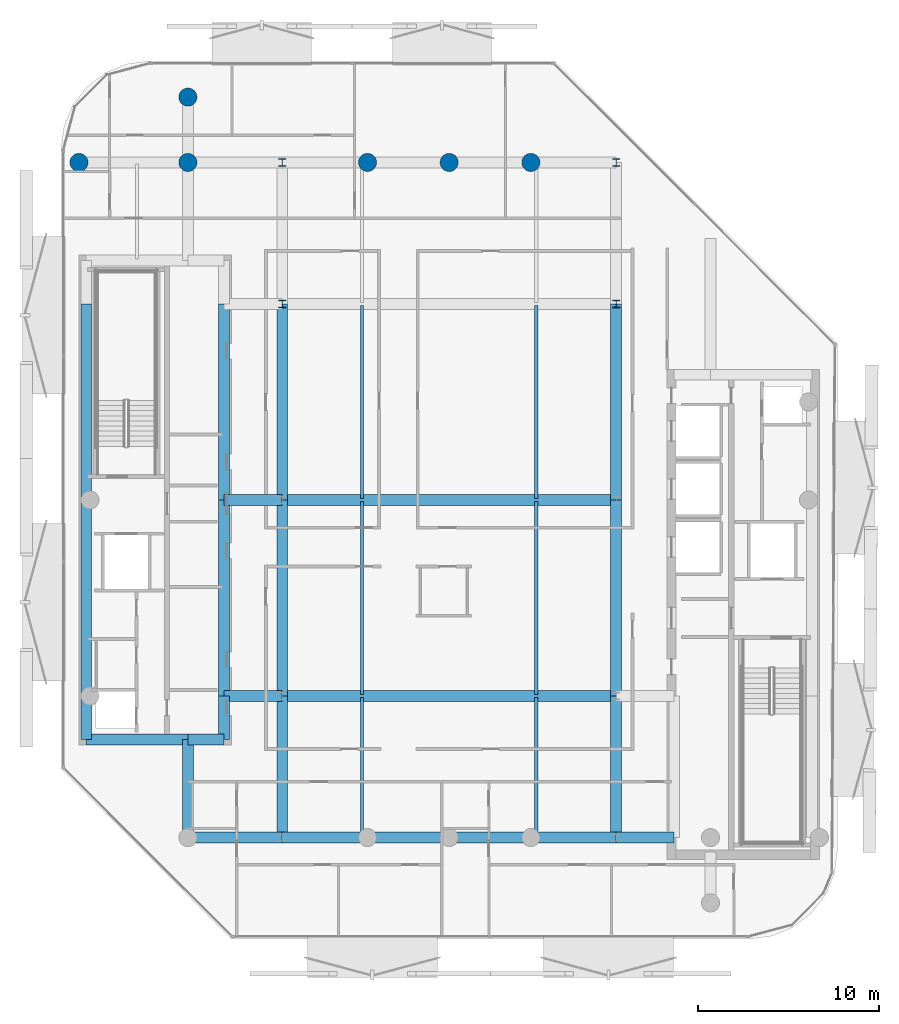
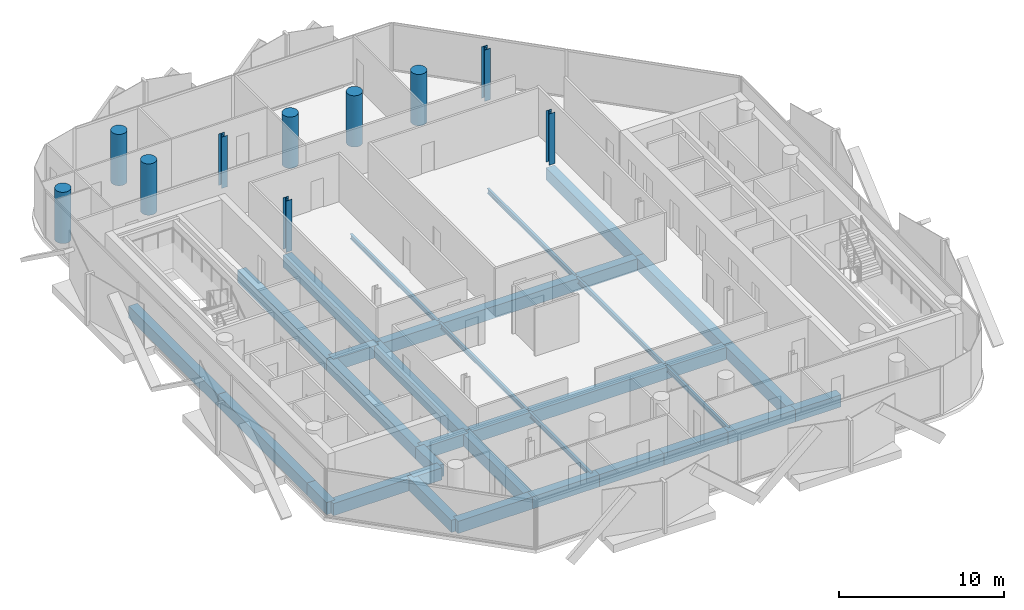
# One storey, part 2 of 16: 31 beams, 10 columns.
"""IFC4 building model written with IfcOpenShell, lengths in metres."""

from ifc_helpers import new_model, si_unit, direction, frame, origin, origin_2d, place, context, subcontext, project, spatial, rectangle, circle, i_section, extrude, material, material_profile, profile_set, type_object, element, save


model = new_model("IFC4")

# Units and contexts
model_context = context("Model", 3, precision=1e-05, world=origin(), true_north=direction((0.0, 1.0)))
body_context = subcontext(model_context, "Body", "Model", "MODEL_VIEW")
ifc_project = project(units=[si_unit("LENGTHUNIT", "METRE"), si_unit("AREAUNIT", "SQUARE_METRE"), si_unit("VOLUMEUNIT", "CUBIC_METRE"), si_unit("PLANEANGLEUNIT", "RADIAN"), si_unit("MASSUNIT", "GRAM", prefix="KILO")], contexts=[model_context])

# Site, building, storey
site_placement = place(None, origin())
site = spatial("IfcSite", under=ifc_project, at=site_placement, CompositionType="ELEMENT")
building_placement = place(site_placement, origin())
building = spatial("IfcBuilding", under=site, at=building_placement, Name="Khairoan Windgate Tower", CompositionType="ELEMENT")
storey_placement = place(building_placement, frame((0.0, 0.0, 311.800048828125)))
storey = spatial("IfcBuildingStorey", under=building, at=storey_placement, Name="L75", CompositionType="ELEMENT", Elevation=311.800048828125)

# Columns
ifc_material_1 = material(Name="Concrete C60/75", Category="concrete")
ifc_material_profile_1 = material_profile(ifc_material_1, circle(Radius=0.5, at=origin_2d()))
ifc_profile_set_1 = profile_set([ifc_material_profile_1], Name="Concrete C60/75")
column_type_1 = type_object("IfcColumnType", Name="Column C-P1 RC-D1000", PredefinedType="COLUMN", material=ifc_profile_set_1)
for number, where, z_axis, x_axis, name in (
    (1, (-20.39990234375, 18.60009765625, 0.0), (0.0, 0.0, 1.0), (1.0, 0.0, 0.0), "Column L75-11"),
    (2, (-14.39990234375, 18.60009765625, 0.0), (0.0, 0.0, 1.0), (1.0, 0.0, 0.0), "Column L75-14"),
    (3, (-4.5, 18.60009765625, 0.0), (0.0, 0.0, 1.0), (1.0, 0.0, 0.0), "Column L75-19"),
    (4, (0.0, 18.60009765625, 0.0), (0.0, 0.0, 1.0), (1.0, 0.0, 0.0), "Column L75-20"),
    (5, (4.5, 18.60009765625, 0.0), (0.0, 0.0, 1.0), (1.0, 0.0, 0.0), "Column L75-21"),
    (6, (-14.39990234375, 22.199951171875, 0.0), (0.0, 0.0, 1.0), (1.0, 0.0, 0.0), "Column L75-26"),
):
    element("IfcColumn", number, at=place(storey_placement, frame(where, z_axis=z_axis, x_axis=x_axis)), inside=storey, type_object=column_type_1, Name=name, PredefinedType="COLUMN", context=body_context, shape_type="SweptSolid", body=[
        extrude(circle(Radius=0.5, at=origin_2d()), origin(), (0.0, 0.0, 1.0), 3.800048828125),
    ])
ifc_material_2 = material(Name="Steel S355", Category="steel")
ifc_material_profile_2 = material_profile(ifc_material_2, i_section(OverallWidth=0.39990234375, OverallDepth=0.39990234375, WebThickness=0.012939453125, FlangeThickness=0.02099609375, FilletRadius=0.02197265625, at=origin_2d()))
ifc_profile_set_2 = profile_set([ifc_material_profile_2], Name="Steel S355")
column_type_2 = type_object("IfcColumnType", Name="Steel Column SC4 H400x400x13x21", PredefinedType="COLUMN", material=ifc_profile_set_2)
for number, where, z_axis, x_axis, name in (
    (7, (-9.199951171875, 10.800048828125, 0.0), (0.0, 0.0, 1.0), (1.0, 0.0, 0.0), "Column L75-04"),
    (8, (-9.199951171875, 18.60009765625, 0.0), (0.0, 0.0, 1.0), (1.0, 0.0, 0.0), "Column L75-05"),
    (9, (9.199951171875, 10.800048828125, 0.0), (0.0, 0.0, 1.0), (1.0, 0.0, 0.0), "Column L75-09"),
    (10, (9.199951171875, 18.60009765625, 0.0), (0.0, 0.0, 1.0), (1.0, 0.0, 0.0), "Column L75-10"),
):
    element("IfcColumn", number, at=place(storey_placement, frame(where, z_axis=z_axis, x_axis=x_axis)), inside=storey, type_object=column_type_2, Name=name, PredefinedType="COLUMN", context=body_context, shape_type="SweptSolid", body=[
        extrude(i_section(OverallWidth=0.39990234375, OverallDepth=0.39990234375, WebThickness=0.012939453125, FlangeThickness=0.02099609375, FilletRadius=0.02197265625, at=origin_2d()), origin(), (0.0, 0.0, 1.0), 3.800048828125),
    ])

# Beams
ifc_material_3 = material(Name="Concrete C50/60", Category="concrete")
ifc_material_profile_3 = material_profile(ifc_material_3, rectangle(XDim=0.60009765625, YDim=0.89990234375, at=origin_2d()))
ifc_profile_set_3 = profile_set([ifc_material_profile_3], Name="Concrete C50/60")
beam_type_1 = type_object("IfcBeamType", Name="Beam B-RC1 RC600x900", PredefinedType="BEAM", material=ifc_profile_set_3)
beam_1_placement = place(storey_placement, frame((-14.39990234375, -18.60009765625, -0.7099609375), z_axis=(1.0, 0.0, 0.0), x_axis=(0.0, 1.0, 0.0)))
element("IfcBeam", 11, at=beam_1_placement, inside=storey, type_object=beam_type_1, Name="L75 E-W Primary Girder 01", PredefinedType="BEAM", context=body_context, shape_type="SweptSolid", body=[
    extrude(rectangle(XDim=0.60009765625, YDim=0.89990234375, at=origin_2d()), origin(), (0.0, 0.0, 1.0), 5.199951171875),
])
beam_2_placement = place(storey_placement, frame((-9.199951171875, -18.60009765625, -0.7099609375), z_axis=(1.0, 0.0, 0.0), x_axis=(0.0, 1.0, 0.0)))
element("IfcBeam", 12, at=beam_2_placement, inside=storey, type_object=beam_type_1, Name="L75 E-W Primary Girder 02", PredefinedType="BEAM", context=body_context, shape_type="SweptSolid", body=[
    extrude(rectangle(XDim=0.60009765625, YDim=0.89990234375, at=origin_2d()), origin(), (0.0, 0.0, 1.0), 4.699951171875),
])
for number, where, z_axis, x_axis, name in (
    (13, (-4.5, -18.60009765625, -0.7099609375), (1.0, 0.0, 0.0), (0.0, 1.0, 0.0), "L75 E-W Primary Girder 03"),
    (14, (0.0, -18.60009765625, -0.7099609375), (1.0, 0.0, 0.0), (0.0, 1.0, 0.0), "L75 E-W Primary Girder 04"),
):
    element("IfcBeam", number, at=place(storey_placement, frame(where, z_axis=z_axis, x_axis=x_axis)), inside=storey, type_object=beam_type_1, Name=name, PredefinedType="BEAM", context=body_context, shape_type="SweptSolid", body=[
        extrude(rectangle(XDim=0.60009765625, YDim=0.89990234375, at=origin_2d()), origin(), (0.0, 0.0, 1.0), 4.5),
    ])
beam_3_placement = place(storey_placement, frame((4.5, -18.60009765625, -0.7099609375), z_axis=(1.0, 0.0, 0.0), x_axis=(0.0, 1.0, 0.0)))
element("IfcBeam", 15, at=beam_3_placement, inside=storey, type_object=beam_type_1, Name="L75 E-W Primary Girder 05", PredefinedType="BEAM", context=body_context, shape_type="SweptSolid", body=[
    extrude(rectangle(XDim=0.60009765625, YDim=0.89990234375, at=origin_2d()), origin(), (0.0, 0.0, 1.0), 4.699951171875),
])
beam_4_placement = place(storey_placement, frame((9.199951171875, -18.60009765625, -0.7099609375), z_axis=(1.0, 0.0, 0.0), x_axis=(0.0, 1.0, 0.0)))
element("IfcBeam", 16, at=beam_4_placement, inside=storey, type_object=beam_type_1, Name="L75 E-W Primary Girder 06", PredefinedType="BEAM", context=body_context, shape_type="SweptSolid", body=[
    extrude(rectangle(XDim=0.60009765625, YDim=0.89990234375, at=origin_2d()), origin(), (0.0, 0.0, 1.0), 3.199951171875),
])
beam_5_placement = place(storey_placement, frame((-20.0, -13.199951171875, -0.7099609375), z_axis=(1.0, 0.0, 0.0), x_axis=(0.0, 1.0, 0.0)))
element("IfcBeam", 17, at=beam_5_placement, inside=storey, type_object=beam_type_1, Name="L75 E-W Primary Girder 07", PredefinedType="BEAM", context=body_context, shape_type="SweptSolid", body=[
    extrude(rectangle(XDim=0.60009765625, YDim=0.89990234375, at=origin_2d()), origin(), (0.0, 0.0, 1.0), 5.60009765625),
])
beam_6_placement = place(storey_placement, frame((-14.39990234375, -13.199951171875, -0.7099609375), z_axis=(1.0, 0.0, 0.0), x_axis=(0.0, 1.0, 0.0)))
element("IfcBeam", 18, at=beam_6_placement, inside=storey, type_object=beam_type_1, Name="L75 E-W Primary Girder 08", PredefinedType="BEAM", context=body_context, shape_type="SweptSolid", body=[
    extrude(rectangle(XDim=0.60009765625, YDim=0.89990234375, at=origin_2d()), origin(), (0.0, 0.0, 1.0), 2.0),
])
beam_7_placement = place(storey_placement, frame((-12.39990234375, -10.800048828125, -0.7099609375), z_axis=(1.0, 0.0, 0.0), x_axis=(0.0, 1.0, 0.0)))
element("IfcBeam", 19, at=beam_7_placement, inside=storey, type_object=beam_type_1, Name="L75 E-W Primary Girder 09", PredefinedType="BEAM", context=body_context, shape_type="SweptSolid", body=[
    extrude(rectangle(XDim=0.60009765625, YDim=0.89990234375, at=origin_2d()), origin(), (0.0, 0.0, 1.0), 3.199951171875),
])
beam_8_placement = place(storey_placement, frame((-9.199951171875, -10.800048828125, -0.7099609375), z_axis=(1.0, 0.0, 0.0), x_axis=(0.0, 1.0, 0.0)))
element("IfcBeam", 20, at=beam_8_placement, inside=storey, type_object=beam_type_1, Name="L75 E-W Primary Girder 10", PredefinedType="BEAM", context=body_context, shape_type="SweptSolid", body=[
    extrude(rectangle(XDim=0.60009765625, YDim=0.89990234375, at=origin_2d()), origin(), (0.0, 0.0, 1.0), 18.39990234375),
])
beam_9_placement = place(storey_placement, frame((-12.39990234375, 0.0, -0.7099609375), z_axis=(1.0, 0.0, 0.0), x_axis=(0.0, 1.0, 0.0)))
element("IfcBeam", 21, at=beam_9_placement, inside=storey, type_object=beam_type_1, Name="L75 E-W Primary Girder 12", PredefinedType="BEAM", context=body_context, shape_type="SweptSolid", body=[
    extrude(rectangle(XDim=0.60009765625, YDim=0.89990234375, at=origin_2d()), origin(), (0.0, 0.0, 1.0), 3.199951171875),
])
beam_10_placement = place(storey_placement, frame((-9.199951171875, 0.0, -0.7099609375), z_axis=(1.0, 0.0, 0.0), x_axis=(0.0, 1.0, 0.0)))
element("IfcBeam", 22, at=beam_10_placement, inside=storey, type_object=beam_type_1, Name="L75 E-W Primary Girder 13", PredefinedType="BEAM", context=body_context, shape_type="SweptSolid", body=[
    extrude(rectangle(XDim=0.60009765625, YDim=0.89990234375, at=origin_2d()), origin(), (0.0, 0.0, 1.0), 18.39990234375),
])
beam_11_placement = place(storey_placement, frame((-20.0, -13.199951171875, -0.7099609375), z_axis=(0.0, 1.0, 0.0), x_axis=(-1.0, 0.0, 0.0)))
element("IfcBeam", 23, at=beam_11_placement, inside=storey, type_object=beam_type_1, Name="L75 N-S Primary Beam 26", PredefinedType="BEAM", context=body_context, shape_type="SweptSolid", body=[
    extrude(rectangle(XDim=0.60009765625, YDim=0.89990234375, at=origin_2d()), origin(), (0.0, 0.0, 1.0), 2.39990234375),
])
for number, where, z_axis, x_axis, name in (
    (24, (-20.0, -10.800048828125, -0.7099609375), (0.0, 1.0, 0.0), (-1.0, 0.0, 0.0), "L75 N-S Primary Beam 27"),
    (25, (-20.0, 0.0, -0.7099609375), (0.0, 1.0, 0.0), (-1.0, 0.0, 0.0), "L75 N-S Primary Beam 28"),
):
    element("IfcBeam", number, at=place(storey_placement, frame(where, z_axis=z_axis, x_axis=x_axis)), inside=storey, type_object=beam_type_1, Name=name, PredefinedType="BEAM", context=body_context, shape_type="SweptSolid", body=[
        extrude(rectangle(XDim=0.60009765625, YDim=0.89990234375, at=origin_2d()), origin(), (0.0, 0.0, 1.0), 10.800048828125),
    ])
beam_12_placement = place(storey_placement, frame((-14.39990234375, -18.60009765625, -0.7099609375), z_axis=(0.0, 1.0, 0.0), x_axis=(-1.0, 0.0, 0.0)))
element("IfcBeam", 26, at=beam_12_placement, inside=storey, type_object=beam_type_1, Name="L75 N-S Primary Beam 30", PredefinedType="BEAM", context=body_context, shape_type="SweptSolid", body=[
    extrude(rectangle(XDim=0.60009765625, YDim=0.89990234375, at=origin_2d()), origin(), (0.0, 0.0, 1.0), 5.400146484375),
])
beam_13_placement = place(storey_placement, frame((-12.39990234375, -13.199951171875, -0.7099609375), z_axis=(0.0, 1.0, 0.0), x_axis=(-1.0, 0.0, 0.0)))
element("IfcBeam", 27, at=beam_13_placement, inside=storey, type_object=beam_type_1, Name="L75 N-S Primary Beam 33", PredefinedType="BEAM", context=body_context, shape_type="SweptSolid", body=[
    extrude(rectangle(XDim=0.60009765625, YDim=0.89990234375, at=origin_2d()), origin(), (0.0, 0.0, 1.0), 2.39990234375),
])
for number, where, z_axis, x_axis, name in (
    (28, (-12.39990234375, -10.800048828125, -0.7099609375), (0.0, 1.0, 0.0), (-1.0, 0.0, 0.0), "L75 N-S Primary Beam 34"),
    (29, (-12.39990234375, 0.0, -0.7099609375), (0.0, 1.0, 0.0), (-1.0, 0.0, 0.0), "L75 N-S Primary Beam 35"),
):
    element("IfcBeam", number, at=place(storey_placement, frame(where, z_axis=z_axis, x_axis=x_axis)), inside=storey, type_object=beam_type_1, Name=name, PredefinedType="BEAM", context=body_context, shape_type="SweptSolid", body=[
        extrude(rectangle(XDim=0.60009765625, YDim=0.89990234375, at=origin_2d()), origin(), (0.0, 0.0, 1.0), 10.800048828125),
    ])
beam_14_placement = place(storey_placement, frame((-9.199951171875, -18.60009765625, -0.7099609375), z_axis=(0.0, 1.0, 0.0), x_axis=(-1.0, 0.0, 0.0)))
element("IfcBeam", 30, at=beam_14_placement, inside=storey, type_object=beam_type_1, Name="L75 N-S Primary Beam 37", PredefinedType="BEAM", context=body_context, shape_type="SweptSolid", body=[
    extrude(rectangle(XDim=0.60009765625, YDim=0.89990234375, at=origin_2d()), origin(), (0.0, 0.0, 1.0), 7.800048828125),
])
for number, where, z_axis, x_axis, name in (
    (31, (-9.199951171875, -10.800048828125, -0.7099609375), (0.0, 1.0, 0.0), (-1.0, 0.0, 0.0), "L75 N-S Primary Beam 38"),
    (32, (-9.199951171875, 0.0, -0.7099609375), (0.0, 1.0, 0.0), (-1.0, 0.0, 0.0), "L75 N-S Primary Beam 39"),
):
    element("IfcBeam", number, at=place(storey_placement, frame(where, z_axis=z_axis, x_axis=x_axis)), inside=storey, type_object=beam_type_1, Name=name, PredefinedType="BEAM", context=body_context, shape_type="SweptSolid", body=[
        extrude(rectangle(XDim=0.60009765625, YDim=0.89990234375, at=origin_2d()), origin(), (0.0, 0.0, 1.0), 10.800048828125),
    ])
beam_15_placement = place(storey_placement, frame((9.199951171875, -18.60009765625, -0.7099609375), z_axis=(0.0, 1.0, 0.0), x_axis=(-1.0, 0.0, 0.0)))
element("IfcBeam", 33, at=beam_15_placement, inside=storey, type_object=beam_type_1, Name="L75 N-S Primary Beam 41", PredefinedType="BEAM", context=body_context, shape_type="SweptSolid", body=[
    extrude(rectangle(XDim=0.60009765625, YDim=0.89990234375, at=origin_2d()), origin(), (0.0, 0.0, 1.0), 7.800048828125),
])
for number, where, z_axis, x_axis, name in (
    (34, (9.199951171875, -10.800048828125, -0.7099609375), (0.0, 1.0, 0.0), (-1.0, 0.0, 0.0), "L75 N-S Primary Beam 42"),
    (35, (9.199951171875, 0.0, -0.7099609375), (0.0, 1.0, 0.0), (-1.0, 0.0, 0.0), "L75 N-S Primary Beam 43"),
):
    element("IfcBeam", number, at=place(storey_placement, frame(where, z_axis=z_axis, x_axis=x_axis)), inside=storey, type_object=beam_type_1, Name=name, PredefinedType="BEAM", context=body_context, shape_type="SweptSolid", body=[
        extrude(rectangle(XDim=0.60009765625, YDim=0.89990234375, at=origin_2d()), origin(), (0.0, 0.0, 1.0), 10.800048828125),
    ])
ifc_material_4 = material(Name="Steel S355", Category="steel")
ifc_material_profile_4 = material_profile(ifc_material_4, i_section(OverallWidth=0.175048828125, OverallDepth=0.35009765625, WebThickness=0.007080078125, FlangeThickness=0.010986328125, FilletRadius=0.013916015625, at=origin_2d()))
ifc_profile_set_4 = profile_set([ifc_material_profile_4], Name="Steel S355")
beam_type_2 = type_object("IfcBeamType", Name="Beam J-S5 H350x175x7x11", PredefinedType="JOIST", material=ifc_profile_set_4)
beam_16_placement = place(storey_placement, frame((-4.800048828125, -18.510009765625, -0.43505859375), z_axis=(0.0, 1.0, 0.0), x_axis=(-1.0, 0.0, 0.0)))
element("IfcBeam", 36, at=beam_16_placement, inside=storey, type_object=beam_type_2, Name="L75 Secondary Floor Joist 02", PredefinedType="JOIST", context=body_context, shape_type="SweptSolid", body=[
    extrude(i_section(OverallWidth=0.175048828125, OverallDepth=0.35009765625, WebThickness=0.007080078125, FlangeThickness=0.010986328125, FilletRadius=0.013916015625, at=origin_2d()), origin(), (0.0, 0.0, 1.0), 7.6201171875),
])
for number, where, z_axis, x_axis, name in (
    (37, (-4.800048828125, -10.7099609375, -0.43505859375), (0.0, 1.0, 0.0), (-1.0, 0.0, 0.0), "L75 Secondary Floor Joist 03"),
    (38, (-4.800048828125, 0.090087890625, -0.43505859375), (0.0, 1.0, 0.0), (-1.0, 0.0, 0.0), "L75 Secondary Floor Joist 04"),
):
    element("IfcBeam", number, at=place(storey_placement, frame(where, z_axis=z_axis, x_axis=x_axis)), inside=storey, type_object=beam_type_2, Name=name, PredefinedType="JOIST", context=body_context, shape_type="SweptSolid", body=[
        extrude(i_section(OverallWidth=0.175048828125, OverallDepth=0.35009765625, WebThickness=0.007080078125, FlangeThickness=0.010986328125, FilletRadius=0.013916015625, at=origin_2d()), origin(), (0.0, 0.0, 1.0), 10.619873046875),
    ])
beam_17_placement = place(storey_placement, frame((4.800048828125, -18.510009765625, -0.43505859375), z_axis=(0.0, 1.0, 0.0), x_axis=(-1.0, 0.0, 0.0)))
element("IfcBeam", 39, at=beam_17_placement, inside=storey, type_object=beam_type_2, Name="L75 Secondary Floor Joist 06", PredefinedType="JOIST", context=body_context, shape_type="SweptSolid", body=[
    extrude(i_section(OverallWidth=0.175048828125, OverallDepth=0.35009765625, WebThickness=0.007080078125, FlangeThickness=0.010986328125, FilletRadius=0.013916015625, at=origin_2d()), origin(), (0.0, 0.0, 1.0), 7.6201171875),
])
for number, where, z_axis, x_axis, name in (
    (40, (4.800048828125, -10.7099609375, -0.43505859375), (0.0, 1.0, 0.0), (-1.0, 0.0, 0.0), "L75 Secondary Floor Joist 07"),
    (41, (4.800048828125, 0.090087890625, -0.43505859375), (0.0, 1.0, 0.0), (-1.0, 0.0, 0.0), "L75 Secondary Floor Joist 08"),
):
    element("IfcBeam", number, at=place(storey_placement, frame(where, z_axis=z_axis, x_axis=x_axis)), inside=storey, type_object=beam_type_2, Name=name, PredefinedType="JOIST", context=body_context, shape_type="SweptSolid", body=[
        extrude(i_section(OverallWidth=0.175048828125, OverallDepth=0.35009765625, WebThickness=0.007080078125, FlangeThickness=0.010986328125, FilletRadius=0.013916015625, at=origin_2d()), origin(), (0.0, 0.0, 1.0), 10.619873046875),
    ])

save(model, "model.ifc")
